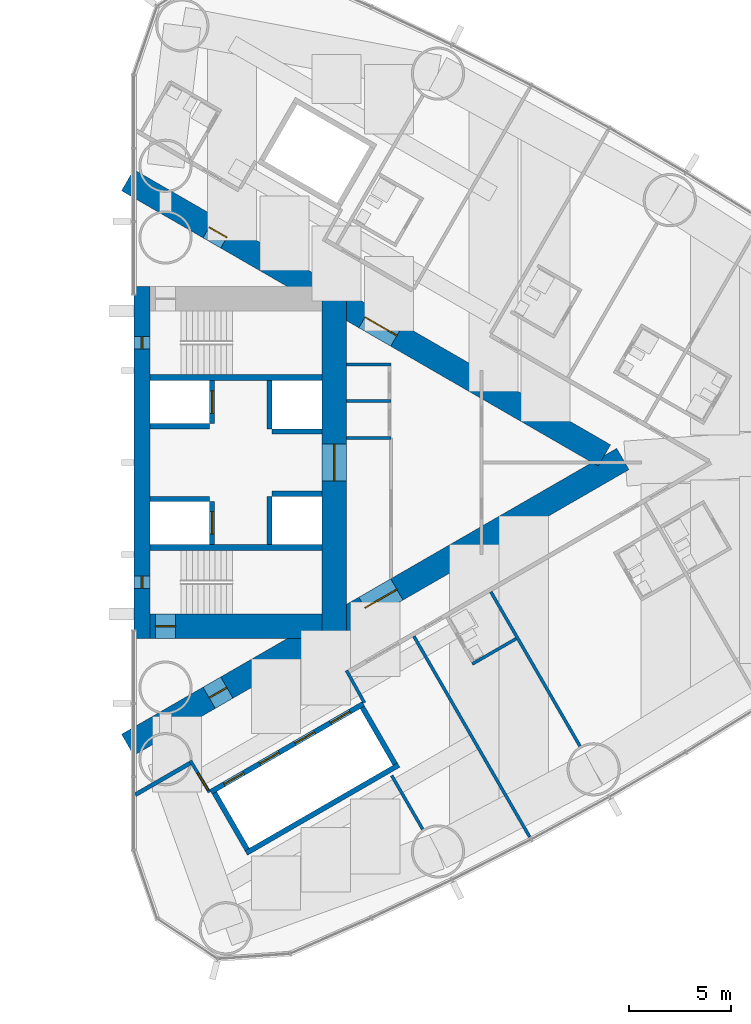
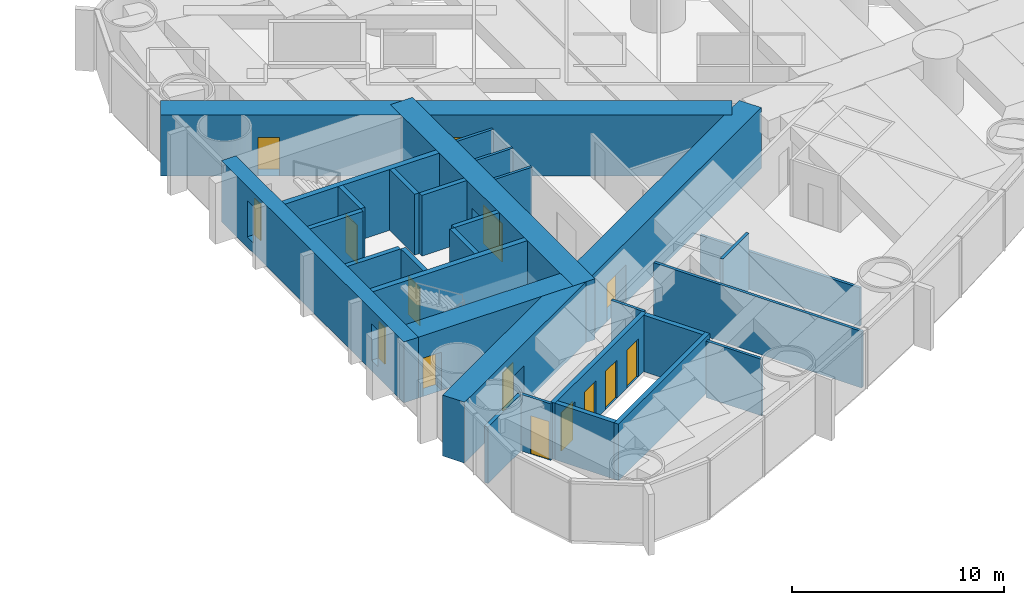
# One storey, part 13 of 18: 29 walls, 13 doors, 2 windows, 15 openings.
"""IFC4 building model written with IfcOpenShell, lengths in metres."""

import ifcopenshell
import ifcopenshell.guid

model = None  # the IFC model being written
_history = None  # IfcOwnerHistory: only IFC2X3 demands one
_inside = {}  # id of a spatial element -> (the spatial element, [elements in it])
_under = {}  # id of a project, library or spatial element -> (it, [spatial elements below it])
_declared = {}  # id of a project -> (the project, [libraries it declares])
_typed = {}  # id of a type object -> (the type object, [elements of that type])
_made_of = {}  # id of a material, layer set ... -> (it, [elements and type objects made of it])


def new_model(schema):
    """Start an empty IFC model of exactly this schema.

    Asked for "IFC4X3", IfcOpenShell would pick the latest addendum, in which some entities
    have other attributes; the version numbers below select the first issue.
    IFC2X3 requires an IfcOwnerHistory on every rooted entity: one is made here for all.
    """
    global model, _history
    if schema == "IFC4X3":
        model = ifcopenshell.file(schema_version=(4, 3, 0, 0))
    else:
        model = ifcopenshell.file(schema=schema)
    _inside.clear()
    _under.clear()
    _declared.clear()
    _typed.clear()
    _made_of.clear()
    _history = None
    if model.schema == "IFC2X3":
        org = make("IfcOrganization", Name="unknown")
        user = make(
            "IfcPersonAndOrganization",
            ThePerson=make("IfcPerson", FamilyName="unknown"),
            TheOrganization=org,
        )
        app = make(
            "IfcApplication",
            ApplicationDeveloper=org,
            Version="unknown",
            ApplicationFullName="unknown",
            ApplicationIdentifier="unknown",
        )
        _history = make(
            "IfcOwnerHistory",
            OwningUser=user,
            OwningApplication=app,
            ChangeAction="ADDED",
            CreationDate=0,
        )
    return model


def make(cls, **values):
    """One entity of the class cls with the attributes given. An attribute that is None is left unset."""
    return model.create_entity(
        cls, **{name: value for name, value in values.items() if value is not None}
    )


def rooted(cls, **values):
    """An entity with a GlobalId (a new one), such as an element, a storey or a relation."""
    return make(cls, GlobalId=ifcopenshell.guid.new(), OwnerHistory=_history, **values)


def si_unit(unit_type, name, prefix=None):
    """IfcSIUnit, for example si_unit("LENGTHUNIT", "METRE", prefix="MILLI")."""
    return make("IfcSIUnit", UnitType=unit_type, Prefix=prefix, Name=name)


def assignment(units):
    """IfcUnitAssignment: the units of a project."""
    return None if units is None else make("IfcUnitAssignment", Units=units)


def point(xyz):
    """IfcCartesianPoint."""
    return None if xyz is None else make("IfcCartesianPoint", Coordinates=xyz)


def direction(xyz):
    """IfcDirection."""
    return None if xyz is None else make("IfcDirection", DirectionRatios=xyz)


def frame(location, z_axis=None, x_axis=None):
    """IfcAxis2Placement3D, a coordinate frame: its origin and axes. An axis left out is left unset."""
    return make(
        "IfcAxis2Placement3D",
        Location=point(location),
        Axis=direction(z_axis),
        RefDirection=direction(x_axis),
    )


def frame_2d(location, x_axis=None):
    """IfcAxis2Placement2D, a coordinate frame in the plane: its origin and x axis."""
    return make(
        "IfcAxis2Placement2D", Location=point(location), RefDirection=direction(x_axis)
    )


def origin():
    """The frame at (0, 0, 0) with its axes left unset."""
    return frame((0.0, 0.0, 0.0))


def place(relative_to, where):
    """IfcLocalPlacement: puts the frame where relative to a parent placement (None: the world)."""
    return make(
        "IfcLocalPlacement", PlacementRelTo=relative_to, RelativePlacement=where
    )


def context(
    kind, dimensions, precision=None, world=None, true_north=None, identifier=None
):
    """IfcGeometricRepresentationContext, for example the 3D "Model" context."""
    return make(
        "IfcGeometricRepresentationContext",
        ContextIdentifier=identifier,
        ContextType=kind,
        CoordinateSpaceDimension=dimensions,
        Precision=precision,
        WorldCoordinateSystem=world,
        TrueNorth=true_north,
    )


def subcontext(parent, identifier, kind, view, scale=None):
    """IfcGeometricRepresentationSubContext, for example "Body" below "Model"."""
    return make(
        "IfcGeometricRepresentationSubContext",
        ContextIdentifier=identifier,
        ContextType=kind,
        ParentContext=parent,
        TargetScale=scale,
        TargetView=view,
    )


def project(units=None, contexts=None):
    """IfcProject with its units and contexts."""
    return rooted(
        "IfcProject",
        Name="project",
        RepresentationContexts=contexts,
        UnitsInContext=assignment(units),
    )


def spatial(cls, under=None, at=None, **own):
    """A site, building, storey or space (cls), placed at a placement, below another one or the project."""
    s = rooted(cls, ObjectPlacement=at, **own)
    if under is not None:
        _under.setdefault(under.id(), (under, []))[1].append(s)
    return s


def profile(cls, at=None, kind="AREA", **sizes):
    """A parametric profile (cls). Its sizes go by their IFC names, for example OverallWidth=200.0."""
    return make(cls, ProfileType=kind, Position=at, **sizes)


def rectangle(**sizes):
    """IfcRectangleProfileDef."""
    return profile("IfcRectangleProfileDef", **sizes)


def extrude(swept, where, along, depth):
    """IfcExtrudedAreaSolid: the profile swept, set in the frame where, extruded along a direction by depth."""
    return make(
        "IfcExtrudedAreaSolid",
        SweptArea=swept,
        Position=where,
        ExtrudedDirection=direction(along),
        Depth=depth,
    )


def shape(context_of_items, identifier, shape_type, items):
    """IfcShapeRepresentation: the items that make up one representation, for example the "Body"."""
    return make(
        "IfcShapeRepresentation",
        ContextOfItems=context_of_items,
        RepresentationIdentifier=identifier,
        RepresentationType=shape_type,
        Items=items,
    )


def material(Name=None, Category=None):
    """IfcMaterial."""
    return make("IfcMaterial", Name=Name, Category=Category)


def layer(
    of_material, thickness, ventilated=None, Name=None, Category=None, Priority=None
):
    """IfcMaterialLayer: one layer of a wall or slab, of a material (None: an air gap)."""
    return make(
        "IfcMaterialLayer",
        Material=of_material,
        LayerThickness=thickness,
        IsVentilated=ventilated,
        Name=Name,
        Category=Category,
        Priority=Priority,
    )


def layer_set(layers, Name=None):
    """IfcMaterialLayerSet."""
    return make("IfcMaterialLayerSet", MaterialLayers=layers, LayerSetName=Name)


def made_of(thing, what):
    """Note that an element or type object is made of a material, layer set ...; save() writes the relation."""
    if what is not None:
        _made_of.setdefault(what.id(), (what, []))[1].append(thing)
    return thing


def type_object(cls, material=None, **own):
    """A type object (cls), such as IfcWallType, which elements share."""
    return made_of(rooted(cls, **own), material)


def element(
    cls,
    number,
    at=None,
    inside=None,
    cuts=None,
    type_object=None,
    material=None,
    context=None,
    identifier="Body",
    shape_type=None,
    held_by="IfcProductDefinitionShape",
    body=None,
    shapes=None,
    **own,
):
    """One element of the class cls, such as IfcWall. Its Tag is "e" and its number.

    at: its placement. inside: the storey or other place that contains it. cuts: it is an
    opening in that element (IfcRelVoidsElement). A single representation is given by context,
    identifier, shape_type and body (its items); several are given by shapes. held_by: the class
    of the entity that holds the representations. save() writes the other relations.
    """
    e = rooted(cls, Tag="e%d" % number, ObjectPlacement=at, **own)
    if body is not None:
        shapes = [shape(context, identifier, shape_type, body)]
    if shapes is not None:
        e.Representation = make(held_by, Representations=shapes)
    if inside is not None:
        _inside.setdefault(inside.id(), (inside, []))[1].append(e)
    if cuts is not None:
        rooted(
            "IfcRelVoidsElement", RelatingBuildingElement=cuts, RelatedOpeningElement=e
        )
    if type_object is not None:
        _typed.setdefault(type_object.id(), (type_object, []))[1].append(e)
    return made_of(e, material)


def fill(opening, filler):
    """IfcRelFillsElement: the door or window that sits in an opening."""
    return rooted(
        "IfcRelFillsElement",
        RelatingOpeningElement=opening,
        RelatedBuildingElement=filler,
    )


def aggregate(whole, parts):
    """IfcRelAggregates: a whole, such as a stair, and the parts it consists of."""
    return rooted("IfcRelAggregates", RelatingObject=whole, RelatedObjects=parts)


def save(model, path):
    """Write the relations noted so far, then the file.

    IfcRelAggregates (storeys below a building ...), IfcRelContainedInSpatialStructure (elements
    in a storey), IfcRelDefinesByType, IfcRelAssociatesMaterial and IfcRelDeclares: one each for
    every whole, place, type object, material and project.
    """
    for whole, parts in _under.values():
        aggregate(whole, parts)
    for where, things in _inside.values():
        rooted(
            "IfcRelContainedInSpatialStructure",
            RelatedElements=things,
            RelatingStructure=where,
        )
    for kind, things in _typed.values():
        rooted("IfcRelDefinesByType", RelatedObjects=things, RelatingType=kind)
    for what, things in _made_of.values():
        rooted("IfcRelAssociatesMaterial", RelatedObjects=things, RelatingMaterial=what)
    for by, libraries in _declared.values():
        rooted("IfcRelDeclares", RelatingContext=by, RelatedDefinitions=libraries)
    model.write(path)


model = new_model("IFC4")

# Units and contexts
model_context = context("Model", 3, precision=1e-05, world=origin(), true_north=direction((0.0, 1.0)))
body_context = subcontext(model_context, "Body", "Model", "MODEL_VIEW")
ifc_project = project(units=[si_unit("LENGTHUNIT", "METRE"), si_unit("AREAUNIT", "SQUARE_METRE"), si_unit("VOLUMEUNIT", "CUBIC_METRE"), si_unit("PLANEANGLEUNIT", "RADIAN"), si_unit("MASSUNIT", "GRAM", prefix="KILO")], contexts=[model_context])

# Site, building, storey
site_placement = place(None, origin())
site = spatial("IfcSite", under=ifc_project, at=site_placement, CompositionType="ELEMENT")
building_placement = place(site_placement, origin())
building = spatial("IfcBuilding", under=site, at=building_placement, Name="Lancet Gate Hotel", CompositionType="ELEMENT")
storey_placement = place(building_placement, frame((0.0, 0.0, 115.10009765625)))
storey = spatial("IfcBuildingStorey", under=building, at=storey_placement, Name="L30", CompositionType="ELEMENT", Elevation=115.10009765625)

# Wall
ifc_material_1 = material(Name="Moisture resistant board partition")
ifc_layer_1 = layer(ifc_material_1, 0.14990234375)
ifc_layer_set_1 = layer_set([ifc_layer_1], Name="Bathroom wall 150")
wall_type_1 = type_object("IfcWallType", Name="Bathroom wall 150", PredefinedType="PARTITIONING", material=ifc_layer_set_1)
wall_1_placement = place(storey_placement, frame((44.045166015625, -9.847900390625, 0.0), z_axis=(0.0, 0.0, 1.0), x_axis=(0.866031185235, 0.4999899861, 0.0)))
element("IfcWall", 1, at=wall_1_placement, inside=storey, type_object=wall_type_1, Name="T2 bathroom wall 150 L30", PredefinedType="PARTITIONING", context=body_context, shape_type="SweptSolid", body=[
    extrude(rectangle(XDim=2.47509765625, YDim=0.14990234375, at=frame_2d((1.237548828125, 0.0))), origin(), (0.0, 0.0, 1.0), 3.25),
])

# Wall, openings, doors
ifc_material_2 = material(Name="Concrete C70/85", Category="concrete")
ifc_layer_2 = layer(ifc_material_2, 1.199951171875)
ifc_layer_set_2 = layer_set([ifc_layer_2], Name="Buttress wall 1200")
wall_type_2 = type_object("IfcWallType", Name="Buttress wall 1200", PredefinedType="SHEAR", material=ifc_layer_set_2)
wall_2_placement = place(storey_placement, frame((27.199951171875, -13.800048828125, 0.0), z_axis=(0.0, 0.0, 1.0), x_axis=(0.866027159892, 0.499996958321, 0.0)))
wall_2 = element("IfcWall", 2, at=wall_2_placement, inside=storey, type_object=wall_type_2, Name="T2 buttress wall S L30", PredefinedType="SHEAR", context=body_context, shape_type="SweptSolid", body=[
    extrude(rectangle(XDim=27.946533203125, YDim=1.199951171875, at=frame_2d((13.97314453125, 0.0))), origin(), (0.0, 0.0, 1.0), 3.5),
])
opening_1_placement = place(wall_2_placement, frame((4.60009765625, 0.0, 0.0)))
opening_1 = element("IfcOpeningElement", 3, at=opening_1_placement, cuts=wall_2, Name="Opening T2-L30-LS", PredefinedType="OPENING", context=body_context, shape_type="SweptSolid", body=[
    extrude(rectangle(XDim=1.0, YDim=2.199951171875, at=frame_2d((0.5, 1.10009765625))), frame((0.0, 0.60986328125, 0.0), z_axis=(0.0, -1.0, 0.0), x_axis=(1.0, 0.0, 0.0)), (0.0, 0.0, 1.0), 1.219970703125),
])
opening_2_placement = place(wall_2_placement, frame((13.39453125, 0.0, 0.0)))
opening_2 = element("IfcOpeningElement", 4, at=opening_2_placement, cuts=wall_2, Name="Opening T2-L30-LHS", PredefinedType="OPENING", context=body_context, shape_type="SweptSolid", body=[
    extrude(rectangle(XDim=1.800048828125, YDim=2.199951171875, at=frame_2d((0.89990234375, 1.10009765625))), frame((0.0, 0.60986328125, 0.0), z_axis=(0.0, -1.0, 0.0), x_axis=(1.0, 0.0, 0.0)), (0.0, 0.0, 1.0), 1.219970703125),
])
ifc_material_3 = material(Name="Timber door set", Category="wood")
door_type_1 = type_object("IfcDoorType", Name="Lobby double door 1800", OperationType="DOUBLE_DOOR_SINGLE_SWING", PredefinedType="DOOR", material=ifc_material_3)
door_1_placement = place(opening_2_placement, origin())
door_1 = element("IfcDoor", 5, at=door_1_placement, inside=storey, type_object=door_type_1, Name="T2-L30-LHS", OperationType="DOUBLE_DOOR_SINGLE_SWING", OverallHeight=2.199951171875, OverallWidth=1.800048828125, PredefinedType="DOOR", context=body_context, shape_type="SweptSolid", body=[
    extrude(rectangle(XDim=1.800048828125, YDim=2.199951171875, at=frame_2d((0.89990234375, 1.10009765625))), frame((0.0, 0.02490234375, 0.0), z_axis=(0.0, -1.0, 0.0), x_axis=(1.0, 0.0, 0.0)), (0.0, 0.0, 1.0), 0.050048828125),
])
fill(opening_2, door_1)
ifc_material_4 = material(Name="Timber door set", Category="wood")
door_type_2 = type_object("IfcDoorType", Name="Stair lobby door 1000", OperationType="SINGLE_SWING_LEFT", PredefinedType="DOOR", material=ifc_material_4)
door_2_placement = place(opening_1_placement, origin())
door_2 = element("IfcDoor", 6, at=door_2_placement, inside=storey, type_object=door_type_2, Name="T2-L30-LS", OperationType="SINGLE_SWING_LEFT", OverallHeight=2.199951171875, OverallWidth=1.0, PredefinedType="DOOR", context=body_context, shape_type="SweptSolid", body=[
    extrude(rectangle(XDim=1.0, YDim=2.199951171875, at=frame_2d((0.5, 1.10009765625))), frame((0.0, 0.02490234375, 0.0), z_axis=(0.0, -1.0, 0.0), x_axis=(1.0, 0.0, 0.0)), (0.0, 0.0, 1.0), 0.050048828125),
])
fill(opening_1, door_2)

wall_3_placement = place(storey_placement, frame((27.199951171875, 13.800048828125, 0.0), z_axis=(0.0, 0.0, 1.0), x_axis=(0.866024515034, -0.500001539357, 0.0)))
wall_3 = element("IfcWall", 7, at=wall_3_placement, inside=storey, type_object=wall_type_2, Name="T2 buttress wall N L30", PredefinedType="SHEAR", context=body_context, shape_type="SweptSolid", body=[
    extrude(rectangle(XDim=26.9072265625, YDim=1.199951171875, at=frame_2d((13.45361328125, 0.0))), origin(), (0.0, 0.0, 1.0), 3.5),
])
opening_3_placement = place(wall_3_placement, frame((4.60009765625, 0.0, 0.0)))
opening_3 = element("IfcOpeningElement", 8, at=opening_3_placement, cuts=wall_3, Name="Opening T2-L30-LN", PredefinedType="OPENING", context=body_context, shape_type="SweptSolid", body=[
    extrude(rectangle(XDim=1.0, YDim=2.199951171875, at=frame_2d((0.5, 1.10009765625))), frame((0.0, 0.60986328125, 0.0), z_axis=(0.0, -1.0, 0.0), x_axis=(1.0, 0.0, 0.0)), (0.0, 0.0, 1.0), 1.219970703125),
])
opening_4_placement = place(wall_3_placement, frame((13.39453125, 0.0, 0.0)))
opening_4 = element("IfcOpeningElement", 9, at=opening_4_placement, cuts=wall_3, Name="Opening T2-L30-LHN", PredefinedType="OPENING", context=body_context, shape_type="SweptSolid", body=[
    extrude(rectangle(XDim=1.800048828125, YDim=2.199951171875, at=frame_2d((0.89990234375, 1.10009765625))), frame((0.0, 0.60986328125, 0.0), z_axis=(0.0, -1.0, 0.0), x_axis=(1.0, 0.0, 0.0)), (0.0, 0.0, 1.0), 1.219970703125),
])
door_3_placement = place(opening_4_placement, origin())
door_3 = element("IfcDoor", 10, at=door_3_placement, inside=storey, type_object=door_type_1, Name="T2-L30-LHN", OperationType="DOUBLE_DOOR_SINGLE_SWING", OverallHeight=2.199951171875, OverallWidth=1.800048828125, PredefinedType="DOOR", context=body_context, shape_type="SweptSolid", body=[
    extrude(rectangle(XDim=1.800048828125, YDim=2.199951171875, at=frame_2d((0.89990234375, 1.10009765625))), frame((0.0, 0.02490234375, 0.0), z_axis=(0.0, -1.0, 0.0), x_axis=(1.0, 0.0, 0.0)), (0.0, 0.0, 1.0), 0.050048828125),
])
fill(opening_4, door_3)
door_4_placement = place(opening_3_placement, origin())
door_4 = element("IfcDoor", 11, at=door_4_placement, inside=storey, type_object=door_type_2, Name="T2-L30-LN", OperationType="SINGLE_SWING_LEFT", OverallHeight=2.199951171875, OverallWidth=1.0, PredefinedType="DOOR", context=body_context, shape_type="SweptSolid", body=[
    extrude(rectangle(XDim=1.0, YDim=2.199951171875, at=frame_2d((0.5, 1.10009765625))), frame((0.0, 0.02490234375, 0.0), z_axis=(0.0, -1.0, 0.0), x_axis=(1.0, 0.0, 0.0)), (0.0, 0.0, 1.0), 0.050048828125),
])
fill(opening_3, door_4)

# Wall, opening, door
ifc_material_5 = material(Name="Concrete C70/85", Category="concrete")
ifc_layer_3 = layer(ifc_material_5, 1.199951171875)
ifc_layer_set_3 = layer_set([ifc_layer_3], Name="Core wall 1200")
wall_type_3 = type_object("IfcWallType", Name="Core wall 1200", PredefinedType="SHEAR", material=ifc_layer_set_3)
wall_4_placement = place(storey_placement, frame((37.300048828125, -8.60009765625, 0.0), z_axis=(0.0, 0.0, 1.0), x_axis=(0.0, 1.0, 0.0)))
wall_4 = element("IfcWall", 12, at=wall_4_placement, inside=storey, type_object=wall_type_3, Name="T2 core wall back L30", PredefinedType="SHEAR", context=body_context, shape_type="SweptSolid", body=[
    extrude(rectangle(XDim=17.2001953125, YDim=1.199951171875, at=frame_2d((8.60009765625, 0.0))), origin(), (0.0, 0.0, 1.0), 3.5),
])
opening_5_placement = place(wall_4_placement, frame((7.699951171875, 0.0, 0.0)))
opening_5 = element("IfcOpeningElement", 13, at=opening_5_placement, cuts=wall_4, Name="Opening T2-L30-LL", PredefinedType="OPENING", context=body_context, shape_type="SweptSolid", body=[
    extrude(rectangle(XDim=1.800048828125, YDim=2.199951171875, at=frame_2d((0.89990234375, 1.10009765625))), frame((0.0, 0.60986328125, 0.0), z_axis=(0.0, -1.0, 0.0), x_axis=(1.0, 0.0, 0.0)), (0.0, 0.0, 1.0), 1.219970703125),
])
door_5_placement = place(opening_5_placement, origin())
door_5 = element("IfcDoor", 14, at=door_5_placement, inside=storey, type_object=door_type_1, Name="T2-L30-LL", OperationType="DOUBLE_DOOR_SINGLE_SWING", OverallHeight=2.199951171875, OverallWidth=1.800048828125, PredefinedType="DOOR", context=body_context, shape_type="SweptSolid", body=[
    extrude(rectangle(XDim=1.800048828125, YDim=2.199951171875, at=frame_2d((0.89990234375, 1.10009765625))), frame((0.0, 0.02490234375, 0.0), z_axis=(0.0, -1.0, 0.0), x_axis=(1.0, 0.0, 0.0)), (0.0, 0.0, 1.0), 0.050048828125),
])
fill(opening_5, door_5)

wall_5_placement = place(storey_placement, frame((28.300048828125, -8.0, 0.0), z_axis=(0.0, 0.0, 1.0), x_axis=(1.0, 0.0, 0.0)))
wall_5 = element("IfcWall", 15, at=wall_5_placement, inside=storey, type_object=wall_type_3, Name="T2 core wall side-S L30", PredefinedType="SHEAR", context=body_context, shape_type="SweptSolid", body=[
    extrude(rectangle(XDim=8.39990234375, YDim=1.199951171875, at=frame_2d((4.199951171875, 0.0))), origin(), (0.0, 0.0, 1.0), 3.5),
])
opening_6_placement = place(wall_5_placement, frame((0.25, 0.0, 0.0)))
opening_6 = element("IfcOpeningElement", 16, at=opening_6_placement, cuts=wall_5, Name="Opening T2-L30-ST1", PredefinedType="OPENING", context=body_context, shape_type="SweptSolid", body=[
    extrude(rectangle(XDim=1.0, YDim=2.199951171875, at=frame_2d((0.5, 1.10009765625))), frame((0.0, 0.60986328125, 0.0), z_axis=(0.0, -1.0, 0.0), x_axis=(1.0, 0.0, 0.0)), (0.0, 0.0, 1.0), 1.219970703125),
])
ifc_material_6 = material(Name="Timber door set", Category="wood")
door_type_3 = type_object("IfcDoorType", Name="Stair door 1000", OperationType="SINGLE_SWING_RIGHT", PredefinedType="DOOR", material=ifc_material_6)
door_6_placement = place(opening_6_placement, origin())
door_6 = element("IfcDoor", 17, at=door_6_placement, inside=storey, type_object=door_type_3, Name="T2-L30-ST1", OperationType="SINGLE_SWING_RIGHT", OverallHeight=2.199951171875, OverallWidth=1.0, PredefinedType="DOOR", context=body_context, shape_type="SweptSolid", body=[
    extrude(rectangle(XDim=1.0, YDim=2.199951171875, at=frame_2d((0.5, 1.10009765625))), frame((0.0, 0.02490234375, 0.0), z_axis=(0.0, -1.0, 0.0), x_axis=(1.0, 0.0, 0.0)), (0.0, 0.0, 1.0), 0.050048828125),
])
fill(opening_6, door_6)

# Wall, openings, windows
ifc_material_7 = material(Name="Concrete C70/85", Category="concrete")
ifc_layer_4 = layer(ifc_material_7, 0.800048828125)
ifc_layer_set_4 = layer_set([ifc_layer_4], Name="Core wall 800")
wall_type_4 = type_object("IfcWallType", Name="Core wall 800", PredefinedType="SHEAR", material=ifc_layer_set_4)
wall_6_placement = place(storey_placement, frame((27.89990234375, -8.60009765625, 0.0), z_axis=(0.0, 0.0, 1.0), x_axis=(0.0, 1.0, 0.0)))
wall_6 = element("IfcWall", 18, at=wall_6_placement, inside=storey, type_object=wall_type_4, Name="T2 core wall front L30", PredefinedType="SHEAR", context=body_context, shape_type="SweptSolid", body=[
    extrude(rectangle(XDim=17.2001953125, YDim=0.800048828125, at=frame_2d((8.60009765625, 0.0))), origin(), (0.0, 0.0, 1.0), 3.5),
])
opening_7_placement = place(wall_6_placement, frame((2.449951171875, 0.0, 0.60009765625)))
opening_7 = element("IfcOpeningElement", 19, at=opening_7_placement, cuts=wall_6, Name="Opening LW1", PredefinedType="OPENING", context=body_context, shape_type="SweptSolid", body=[
    extrude(rectangle(XDim=0.60009765625, YDim=2.10009765625, at=frame_2d((0.300048828125, 1.050048828125))), frame((0.0, 0.409912109375, 0.0), z_axis=(0.0, -1.0, 0.0), x_axis=(1.0, 0.0, 0.0)), (0.0, 0.0, 1.0), 0.820068359375),
])
opening_8_placement = place(wall_6_placement, frame((14.14990234375, 0.0, 0.60009765625)))
opening_8 = element("IfcOpeningElement", 20, at=opening_8_placement, cuts=wall_6, Name="Opening LW1", PredefinedType="OPENING", context=body_context, shape_type="SweptSolid", body=[
    extrude(rectangle(XDim=0.60009765625, YDim=2.10009765625, at=frame_2d((0.300048828125, 1.050048828125))), frame((0.0, 0.409912109375, 0.0), z_axis=(0.0, -1.0, 0.0), x_axis=(1.0, 0.0, 0.0)), (0.0, 0.0, 1.0), 0.820068359375),
])
ifc_material_8 = material(Name="Fire-resisting glazed steel window", Category="steel")
window_type = type_object("IfcWindowType", Name="Lancet window 600x2100", PartitioningType="SINGLE_PANEL", PredefinedType="WINDOW", material=ifc_material_8)
window_1_placement = place(opening_7_placement, origin())
window_1 = element("IfcWindow", 21, at=window_1_placement, inside=storey, type_object=window_type, Name="T2 stair window S L30", OverallHeight=2.10009765625, OverallWidth=0.60009765625, PartitioningType="SINGLE_PANEL", PredefinedType="WINDOW", context=body_context, shape_type="SweptSolid", body=[
    extrude(rectangle(XDim=0.60009765625, YDim=2.10009765625, at=frame_2d((0.300048828125, 1.050048828125))), frame((0.0, 0.030029296875, 0.0), z_axis=(0.0, -1.0, 0.0), x_axis=(1.0, 0.0, 0.0)), (0.0, 0.0, 1.0), 0.06005859375),
])
fill(opening_7, window_1)
window_2_placement = place(opening_8_placement, origin())
window_2 = element("IfcWindow", 22, at=window_2_placement, inside=storey, type_object=window_type, Name="T2 stair window N L30", OverallHeight=2.10009765625, OverallWidth=0.60009765625, PartitioningType="SINGLE_PANEL", PredefinedType="WINDOW", context=body_context, shape_type="SweptSolid", body=[
    extrude(rectangle(XDim=0.60009765625, YDim=2.10009765625, at=frame_2d((0.300048828125, 1.050048828125))), frame((0.0, 0.030029296875, 0.0), z_axis=(0.0, -1.0, 0.0), x_axis=(1.0, 0.0, 0.0)), (0.0, 0.0, 1.0), 0.06005859375),
])
fill(opening_8, window_2)

# Wall
ifc_material_9 = material(Name="Gypsum board partition")
ifc_layer_5 = layer(ifc_material_9, 0.199951171875)
ifc_layer_set_5 = layer_set([ifc_layer_5], Name="Corridor wall 200")
wall_type_5 = type_object("IfcWallType", Name="Corridor wall 200", PredefinedType="PARTITIONING", material=ifc_layer_set_5)
wall_7_placement = place(storey_placement, frame((27.572021484375, -16.240966796875, 0.0), z_axis=(0.0, 0.0, 1.0), x_axis=(0.866029654818, 0.499992636921, 0.0)))
element("IfcWall", 23, at=wall_7_placement, inside=storey, type_object=wall_type_5, Name="T2 corridor wall 200 L30", PredefinedType="PARTITIONING", context=body_context, shape_type="SweptSolid", body=[
    extrude(rectangle(XDim=3.15478515625, YDim=0.199951171875, at=frame_2d((1.577392578125, 0.0))), origin(), (0.0, 0.0, 1.0), 3.25),
])

# Wall, openings, doors
ifc_material_10 = material(Name="Gypsum board partition")
ifc_layer_6 = layer(ifc_material_10, 0.25)
ifc_layer_set_6 = layer_set([ifc_layer_6], Name="Lift shaft partition 250")
wall_type_6 = type_object("IfcWallType", Name="Lift shaft partition 250", PredefinedType="PARTITIONING", material=ifc_layer_set_6)
wall_8_placement = place(storey_placement, frame((31.2705078125, -16.09716796875, 0.0), z_axis=(0.0, 0.0, 1.0), x_axis=(0.86604045752, 0.499973925258, 0.0)))
wall_8 = element("IfcWall", 24, at=wall_8_placement, inside=storey, type_object=wall_type_6, Name="T2 lift shaft wall LR L30", PredefinedType="PARTITIONING", context=body_context, shape_type="SweptSolid", body=[
    extrude(rectangle(XDim=8.60009765625, YDim=0.25, at=frame_2d((4.300048828125, 0.0))), origin(), (0.0, 0.0, 1.0), 3.25),
])
opening_9_placement = place(wall_8_placement, frame((0.75, 0.0, 0.0)))
opening_9 = element("IfcOpeningElement", 25, at=opening_9_placement, cuts=wall_8, Name="Opening T2-LR1-L30", PredefinedType="OPENING", context=body_context, shape_type="SweptSolid", body=[
    extrude(rectangle(XDim=1.10009765625, YDim=2.199951171875, at=frame_2d((0.550048828125, 1.10009765625))), frame((0.0, 0.135009765625, 0.0), z_axis=(0.0, -1.0, 0.0), x_axis=(1.0, 0.0, 0.0)), (0.0, 0.0, 1.0), 0.27001953125),
])
opening_10_placement = place(wall_8_placement, frame((2.75, 0.0, 0.0)))
opening_10 = element("IfcOpeningElement", 26, at=opening_10_placement, cuts=wall_8, Name="Opening T2-LR2-L30", PredefinedType="OPENING", context=body_context, shape_type="SweptSolid", body=[
    extrude(rectangle(XDim=1.10009765625, YDim=2.199951171875, at=frame_2d((0.550048828125, 1.10009765625))), frame((0.0, 0.135009765625, 0.0), z_axis=(0.0, -1.0, 0.0), x_axis=(1.0, 0.0, 0.0)), (0.0, 0.0, 1.0), 0.27001953125),
])
opening_11_placement = place(wall_8_placement, frame((4.75, 0.0, 0.0)))
opening_11 = element("IfcOpeningElement", 27, at=opening_11_placement, cuts=wall_8, Name="Opening T2-LR3-L30", PredefinedType="OPENING", context=body_context, shape_type="SweptSolid", body=[
    extrude(rectangle(XDim=1.10009765625, YDim=2.199951171875, at=frame_2d((0.550048828125, 1.10009765625))), frame((0.0, 0.135009765625, 0.0), z_axis=(0.0, -1.0, 0.0), x_axis=(1.0, 0.0, 0.0)), (0.0, 0.0, 1.0), 0.27001953125),
])
opening_12_placement = place(wall_8_placement, frame((6.75, 0.0, 0.0)))
opening_12 = element("IfcOpeningElement", 28, at=opening_12_placement, cuts=wall_8, Name="Opening T2-LR4-L30", PredefinedType="OPENING", context=body_context, shape_type="SweptSolid", body=[
    extrude(rectangle(XDim=1.10009765625, YDim=2.199951171875, at=frame_2d((0.550048828125, 1.10009765625))), frame((0.0, 0.135009765625, 0.0), z_axis=(0.0, -1.0, 0.0), x_axis=(1.0, 0.0, 0.0)), (0.0, 0.0, 1.0), 0.27001953125),
])
ifc_material_11 = material(Name="Steel door set", Category="steel")
door_type_4 = type_object("IfcDoorType", Name="Lift landing door 1100", OperationType="DOUBLE_DOOR_SLIDING", PredefinedType="USERDEFINED", material=ifc_material_11)
door_7_placement = place(opening_9_placement, origin())
door_7 = element("IfcDoor", 29, at=door_7_placement, inside=storey, type_object=door_type_4, Name="T2-LR1-L30", ObjectType="LIFT LANDING DOOR", OperationType="DOUBLE_DOOR_SLIDING", OverallHeight=2.199951171875, OverallWidth=1.10009765625, PredefinedType="USERDEFINED", context=body_context, shape_type="SweptSolid", body=[
    extrude(rectangle(XDim=1.10009765625, YDim=2.199951171875, at=frame_2d((0.550048828125, 1.10009765625))), frame((0.0, 0.02490234375, 0.0), z_axis=(0.0, -1.0, 0.0), x_axis=(1.0, 0.0, 0.0)), (0.0, 0.0, 1.0), 0.050048828125),
])
fill(opening_9, door_7)
door_8_placement = place(opening_10_placement, origin())
door_8 = element("IfcDoor", 30, at=door_8_placement, inside=storey, type_object=door_type_4, Name="T2-LR2-L30", ObjectType="LIFT LANDING DOOR", OperationType="DOUBLE_DOOR_SLIDING", OverallHeight=2.199951171875, OverallWidth=1.10009765625, PredefinedType="USERDEFINED", context=body_context, shape_type="SweptSolid", body=[
    extrude(rectangle(XDim=1.10009765625, YDim=2.199951171875, at=frame_2d((0.550048828125, 1.10009765625))), frame((0.0, 0.02490234375, 0.0), z_axis=(0.0, -1.0, 0.0), x_axis=(1.0, 0.0, 0.0)), (0.0, 0.0, 1.0), 0.050048828125),
])
fill(opening_10, door_8)
door_9_placement = place(opening_11_placement, origin())
door_9 = element("IfcDoor", 31, at=door_9_placement, inside=storey, type_object=door_type_4, Name="T2-LR3-L30", ObjectType="LIFT LANDING DOOR", OperationType="DOUBLE_DOOR_SLIDING", OverallHeight=2.199951171875, OverallWidth=1.10009765625, PredefinedType="USERDEFINED", context=body_context, shape_type="SweptSolid", body=[
    extrude(rectangle(XDim=1.10009765625, YDim=2.199951171875, at=frame_2d((0.550048828125, 1.10009765625))), frame((0.0, 0.02490234375, 0.0), z_axis=(0.0, -1.0, 0.0), x_axis=(1.0, 0.0, 0.0)), (0.0, 0.0, 1.0), 0.050048828125),
])
fill(opening_11, door_9)
door_10_placement = place(opening_12_placement, origin())
door_10 = element("IfcDoor", 32, at=door_10_placement, inside=storey, type_object=door_type_4, Name="T2-LR4-L30", ObjectType="LIFT LANDING DOOR", OperationType="DOUBLE_DOOR_SLIDING", OverallHeight=2.199951171875, OverallWidth=1.10009765625, PredefinedType="USERDEFINED", context=body_context, shape_type="SweptSolid", body=[
    extrude(rectangle(XDim=1.10009765625, YDim=2.199951171875, at=frame_2d((0.550048828125, 1.10009765625))), frame((0.0, 0.02490234375, 0.0), z_axis=(0.0, -1.0, 0.0), x_axis=(1.0, 0.0, 0.0)), (0.0, 0.0, 1.0), 0.050048828125),
])
fill(opening_12, door_10)

# Walls
wall_9_placement = place(storey_placement, frame((32.99560546875, -19.085693359375, 0.0), z_axis=(0.0, 0.0, 1.0), x_axis=(0.866028165386, 0.499995216735, 0.0)))
element("IfcWall", 33, at=wall_9_placement, inside=storey, type_object=wall_type_6, Name="T2 lift shaft wall LR L30", PredefinedType="PARTITIONING", context=body_context, shape_type="SweptSolid", body=[
    extrude(rectangle(XDim=8.60009765625, YDim=0.25, at=frame_2d((4.300048828125, 0.0))), origin(), (0.0, 0.0, 1.0), 3.25),
])
for number, where, z_axis, x_axis, name in (
    (34, (31.441162109375, -16.14306640625, 0.0), (0.0, 0.0, 1.0), (0.499929347863, -0.866066190972, 0.0), "T2 lift shaft wall LR L30"),
    (35, (38.672607421875, -11.968017578125, 0.0), (0.0, 0.0, 1.0), (0.499929347863, -0.866066190972, 0.0), "T2 lift shaft wall LR L30"),
):
    element("IfcWall", number, at=place(storey_placement, frame(where, z_axis=z_axis, x_axis=x_axis)), inside=storey, type_object=wall_type_6, Name=name, PredefinedType="PARTITIONING", context=body_context, shape_type="SweptSolid", body=[
        extrude(rectangle(XDim=3.20068359375, YDim=0.25, at=frame_2d((1.600341796875, 0.0))), origin(), (0.0, 0.0, 1.0), 3.25),
    ])

# Wall, opening, door
ifc_material_12 = material(Name="Concrete C50/60", Category="concrete")
ifc_layer_7 = layer(ifc_material_12, 0.25)
ifc_layer_set_7 = layer_set([ifc_layer_7], Name="Lift shaft wall 250")
wall_type_7 = type_object("IfcWallType", Name="Lift shaft wall 250", PredefinedType="SHEAR", material=ifc_layer_set_7)
wall_10_placement = place(storey_placement, frame((31.324951171875, -4.0, 0.0), z_axis=(0.0, 0.0, 1.0), x_axis=(0.0, 1.0, 0.0)))
wall_10 = element("IfcWall", 36, at=wall_10_placement, inside=storey, type_object=wall_type_7, Name="T2 core wall row1-S L30", PredefinedType="SHEAR", context=body_context, shape_type="SweptSolid", body=[
    extrude(rectangle(XDim=2.10009765625, YDim=0.25, at=frame_2d((1.050048828125, 0.0))), origin(), (0.0, 0.0, 1.0), 3.5),
])
opening_13_placement = place(wall_10_placement, frame((0.5, 0.0, 0.0)))
opening_13 = element("IfcOpeningElement", 37, at=opening_13_placement, cuts=wall_10, Name="Opening T2-SL1-L30", PredefinedType="OPENING", context=body_context, shape_type="SweptSolid", body=[
    extrude(rectangle(XDim=1.10009765625, YDim=2.199951171875, at=frame_2d((0.550048828125, 1.10009765625))), frame((0.0, 0.135009765625, 0.0), z_axis=(0.0, -1.0, 0.0), x_axis=(1.0, 0.0, 0.0)), (0.0, 0.0, 1.0), 0.27001953125),
])
ifc_material_13 = material(Name="Timber door set", Category="wood")
door_type_5 = type_object("IfcDoorType", Name="Service lift landing door 1100", OperationType="SLIDING_TO_LEFT", PredefinedType="USERDEFINED", material=ifc_material_13)
door_11_placement = place(opening_13_placement, origin())
door_11 = element("IfcDoor", 38, at=door_11_placement, inside=storey, type_object=door_type_5, Name="T2-SL1-L30", ObjectType="LIFT LANDING DOOR", OperationType="SLIDING_TO_LEFT", OverallHeight=2.199951171875, OverallWidth=1.10009765625, PredefinedType="USERDEFINED", context=body_context, shape_type="SweptSolid", body=[
    extrude(rectangle(XDim=1.10009765625, YDim=2.199951171875, at=frame_2d((0.550048828125, 1.10009765625))), frame((0.0, 0.02490234375, 0.0), z_axis=(0.0, -1.0, 0.0), x_axis=(1.0, 0.0, 0.0)), (0.0, 0.0, 1.0), 0.050048828125),
])
fill(opening_13, door_11)

# Walls
wall_11_placement = place(storey_placement, frame((34.125, -4.0, 0.0), z_axis=(0.0, 0.0, 1.0), x_axis=(0.0, 1.0, 0.0)))
element("IfcWall", 39, at=wall_11_placement, inside=storey, type_object=wall_type_7, Name="T2 core wall row2-S L30", PredefinedType="SHEAR", context=body_context, shape_type="SweptSolid", body=[
    extrude(rectangle(XDim=2.35009765625, YDim=0.25, at=frame_2d((1.175048828125, 0.0))), origin(), (0.0, 0.0, 1.0), 3.5),
])
wall_12_placement = place(storey_placement, frame((28.300048828125, -1.77490234375, 0.0), z_axis=(0.0, 0.0, 1.0), x_axis=(1.0, 0.0, 0.0)))
element("IfcWall", 40, at=wall_12_placement, inside=storey, type_object=wall_type_7, Name="T2 core wall pass1-S L30", PredefinedType="SHEAR", context=body_context, shape_type="SweptSolid", body=[
    extrude(rectangle(XDim=2.89990234375, YDim=0.25, at=frame_2d((1.449951171875, 0.0))), origin(), (0.0, 0.0, 1.0), 3.5),
])
wall_13_placement = place(storey_placement, frame((34.25, -1.52490234375, 0.0), z_axis=(0.0, 0.0, 1.0), x_axis=(1.0, 0.0, 0.0)))
element("IfcWall", 41, at=wall_13_placement, inside=storey, type_object=wall_type_7, Name="T2 core wall pass2-S L30", PredefinedType="SHEAR", context=body_context, shape_type="SweptSolid", body=[
    extrude(rectangle(XDim=2.449951171875, YDim=0.25, at=frame_2d((1.22509765625, 0.0))), origin(), (0.0, 0.0, 1.0), 3.5),
])

# Wall, opening, door
wall_14_placement = place(storey_placement, frame((31.324951171875, 1.89990234375, 0.0), z_axis=(0.0, 0.0, 1.0), x_axis=(0.0, 1.0, 0.0)))
wall_14 = element("IfcWall", 42, at=wall_14_placement, inside=storey, type_object=wall_type_7, Name="T2 core wall row1-N L30", PredefinedType="SHEAR", context=body_context, shape_type="SweptSolid", body=[
    extrude(rectangle(XDim=2.10009765625, YDim=0.25, at=frame_2d((1.050048828125, 0.0))), origin(), (0.0, 0.0, 1.0), 3.5),
])
opening_14_placement = place(wall_14_placement, frame((0.5, 0.0, 0.0)))
opening_14 = element("IfcOpeningElement", 43, at=opening_14_placement, cuts=wall_14, Name="Opening T2-FL2-L30", PredefinedType="OPENING", context=body_context, shape_type="SweptSolid", body=[
    extrude(rectangle(XDim=1.10009765625, YDim=2.199951171875, at=frame_2d((0.550048828125, 1.10009765625))), frame((0.0, 0.135009765625, 0.0), z_axis=(0.0, -1.0, 0.0), x_axis=(1.0, 0.0, 0.0)), (0.0, 0.0, 1.0), 0.27001953125),
])
ifc_material_14 = material(Name="Steel door set", Category="steel")
door_type_6 = type_object("IfcDoorType", Name="Firefighting lift landing door 1100", OperationType="SLIDING_TO_LEFT", PredefinedType="USERDEFINED", material=ifc_material_14)
door_12_placement = place(opening_14_placement, origin())
door_12 = element("IfcDoor", 44, at=door_12_placement, inside=storey, type_object=door_type_6, Name="T2-FL2-L30", ObjectType="LIFT LANDING DOOR", OperationType="SLIDING_TO_LEFT", OverallHeight=2.199951171875, OverallWidth=1.10009765625, PredefinedType="USERDEFINED", context=body_context, shape_type="SweptSolid", body=[
    extrude(rectangle(XDim=1.10009765625, YDim=2.199951171875, at=frame_2d((0.550048828125, 1.10009765625))), frame((0.0, 0.02490234375, 0.0), z_axis=(0.0, -1.0, 0.0), x_axis=(1.0, 0.0, 0.0)), (0.0, 0.0, 1.0), 0.050048828125),
])
fill(opening_14, door_12)

# Walls
wall_15_placement = place(storey_placement, frame((34.125, 1.64990234375, 0.0), z_axis=(0.0, 0.0, 1.0), x_axis=(0.0, 1.0, 0.0)))
element("IfcWall", 45, at=wall_15_placement, inside=storey, type_object=wall_type_7, Name="T2 core wall row2-N L30", PredefinedType="SHEAR", context=body_context, shape_type="SweptSolid", body=[
    extrude(rectangle(XDim=2.35009765625, YDim=0.25, at=frame_2d((1.175048828125, 0.0))), origin(), (0.0, 0.0, 1.0), 3.5),
])
wall_16_placement = place(storey_placement, frame((28.300048828125, 1.77490234375, 0.0), z_axis=(0.0, 0.0, 1.0), x_axis=(1.0, 0.0, 0.0)))
element("IfcWall", 46, at=wall_16_placement, inside=storey, type_object=wall_type_7, Name="T2 core wall pass1-N L30", PredefinedType="SHEAR", context=body_context, shape_type="SweptSolid", body=[
    extrude(rectangle(XDim=2.89990234375, YDim=0.25, at=frame_2d((1.449951171875, 0.0))), origin(), (0.0, 0.0, 1.0), 3.5),
])
wall_17_placement = place(storey_placement, frame((34.25, 1.52490234375, 0.0), z_axis=(0.0, 0.0, 1.0), x_axis=(1.0, 0.0, 0.0)))
element("IfcWall", 47, at=wall_17_placement, inside=storey, type_object=wall_type_7, Name="T2 core wall pass2-N L30", PredefinedType="SHEAR", context=body_context, shape_type="SweptSolid", body=[
    extrude(rectangle(XDim=2.449951171875, YDim=0.25, at=frame_2d((1.22509765625, 0.0))), origin(), (0.0, 0.0, 1.0), 3.5),
])
ifc_material_15 = material(Name="Gypsum board partition")
ifc_layer_8 = layer(ifc_material_15, 0.14990234375)
ifc_layer_set_8 = layer_set([ifc_layer_8], Name="Party wall 150")
wall_type_8 = type_object("IfcWallType", Name="Party wall 150", PredefinedType="PARTITIONING", material=ifc_layer_set_8)
wall_18_placement = place(storey_placement, frame((41.18994140625, -8.494140625, 0.0), z_axis=(0.0, 0.0, 1.0), x_axis=(0.49999258054, -0.866029687369, 0.0)))
element("IfcWall", 48, at=wall_18_placement, inside=storey, type_object=wall_type_8, Name="T2 party wall 150 L30", PredefinedType="PARTITIONING", context=body_context, shape_type="SweptSolid", body=[
    extrude(rectangle(XDim=11.318115234375, YDim=0.14990234375, at=frame_2d((5.6591796875, 0.0))), origin(), (0.0, 0.0, 1.0), 3.25),
])
wall_19_placement = place(storey_placement, frame((44.95361328125, -6.3212890625, 0.0), z_axis=(0.0, 0.0, 1.0), x_axis=(0.500018676722, -0.866014620505, 0.0)))
element("IfcWall", 49, at=wall_19_placement, inside=storey, type_object=wall_type_8, Name="T2 party wall 150 L30", PredefinedType="PARTITIONING", context=body_context, shape_type="SweptSolid", body=[
    extrude(rectangle(XDim=8.703857421875, YDim=0.14990234375, at=frame_2d((4.35205078125, 0.0))), origin(), (0.0, 0.0, 1.0), 2.199951171875),
])
wall_20_placement = place(storey_placement, frame((40.10546875, -15.298583984375, 0.0), z_axis=(0.0, 0.0, 1.0), x_axis=(0.499978822259, -0.866037630414, 0.0)))
element("IfcWall", 50, at=wall_20_placement, inside=storey, type_object=wall_type_8, Name="T2 party wall 150 L30", PredefinedType="PARTITIONING", context=body_context, shape_type="SweptSolid", body=[
    extrude(rectangle(XDim=3.022705078125, YDim=0.14990234375, at=frame_2d((1.51123046875, 0.0))), origin(), (0.0, 0.0, 1.0), 3.25),
])

# Wall, opening, door
ifc_material_16 = material(Name="Gypsum board partition")
ifc_layer_9 = layer(ifc_material_16, 0.14990234375)
ifc_layer_set_9 = layer_set([ifc_layer_9], Name="Service room wall 150")
wall_type_9 = type_object("IfcWallType", Name="Service room wall 150", PredefinedType="PARTITIONING", material=ifc_layer_set_9)
wall_21_placement = place(storey_placement, frame((30.26708984375, -14.5693359375, 0.0), z_axis=(0.0, 0.0, 1.0), x_axis=(0.514336634837, -0.857588377991, 0.0)))
wall_21 = element("IfcWall", 51, at=wall_21_placement, inside=storey, type_object=wall_type_9, Name="T2 service room wall 150 L30", PredefinedType="PARTITIONING", context=body_context, shape_type="SweptSolid", body=[
    extrude(rectangle(XDim=1.80517578125, YDim=0.14990234375, at=frame_2d((0.902587890625, 0.0))), origin(), (0.0, 0.0, 1.0), 3.25),
])
opening_15_placement = place(wall_21_placement, frame((0.702880859375, 0.0, 0.0)))
opening_15 = element("IfcOpeningElement", 52, at=opening_15_placement, cuts=wall_21, Name="Opening T2-L30-LO1", PredefinedType="OPENING", context=body_context, shape_type="SweptSolid", body=[
    extrude(rectangle(XDim=1.0, YDim=2.199951171875, at=frame_2d((0.5, 1.10009765625))), frame((0.0, 0.0849609375, 0.0), z_axis=(0.0, -1.0, 0.0), x_axis=(1.0, 0.0, 0.0)), (0.0, 0.0, 1.0), 0.169921875),
])
ifc_material_17 = material(Name="Timber door set", Category="wood")
door_type_7 = type_object("IfcDoorType", Name="Service door 1000", OperationType="SINGLE_SWING_LEFT", PredefinedType="DOOR", material=ifc_material_17)
door_13_placement = place(opening_15_placement, origin())
door_13 = element("IfcDoor", 53, at=door_13_placement, inside=storey, type_object=door_type_7, Name="T2-L30-LO1", OperationType="SINGLE_SWING_LEFT", OverallHeight=2.199951171875, OverallWidth=1.0, PredefinedType="DOOR", context=body_context, shape_type="SweptSolid", body=[
    extrude(rectangle(XDim=1.0, YDim=2.199951171875, at=frame_2d((0.5, 1.10009765625))), frame((0.0, 0.02490234375, 0.0), z_axis=(0.0, -1.0, 0.0), x_axis=(1.0, 0.0, 0.0)), (0.0, 0.0, 1.0), 0.050048828125),
])
fill(opening_15, door_13)

# Walls
wall_22_placement = place(storey_placement, frame((38.7734375, -11.742431640625, 0.0), z_axis=(0.0, 0.0, 1.0), x_axis=(-0.485528096672, 0.8742210632, 0.0)))
element("IfcWall", 54, at=wall_22_placement, inside=storey, type_object=wall_type_9, Name="T2 service room wall 150 L30", PredefinedType="PARTITIONING", context=body_context, shape_type="SweptSolid", body=[
    extrude(rectangle(XDim=1.80517578125, YDim=0.14990234375, at=frame_2d((0.902587890625, 0.0))), origin(), (0.0, 0.0, 1.0), 3.25),
])
for number, where, z_axis, x_axis, name in (
    (55, (37.89990234375, 1.199951171875, 0.0), (0.0, 0.0, 1.0), (1.0, 0.0, 0.0), "T2 service room wall 150 L30"),
    (56, (37.89990234375, 3.0, 0.0), (0.0, 0.0, 1.0), (1.0, 0.0, 0.0), "T2 service room wall 150 L30"),
    (57, (37.89990234375, 4.800048828125, 0.0), (0.0, 0.0, 1.0), (1.0, 0.0, 0.0), "T2 service room wall 150 L30"),
):
    element("IfcWall", number, at=place(storey_placement, frame(where, z_axis=z_axis, x_axis=x_axis)), inside=storey, type_object=wall_type_9, Name=name, PredefinedType="PARTITIONING", context=body_context, shape_type="SweptSolid", body=[
        extrude(rectangle(XDim=2.175048828125, YDim=0.14990234375, at=frame_2d((1.08740234375, 0.0))), origin(), (0.0, 0.0, 1.0), 3.25),
    ])
ifc_material_18 = material(Name="Concrete C50/60", Category="concrete")
ifc_layer_10 = layer(ifc_material_18, 0.300048828125)
ifc_layer_set_10 = layer_set([ifc_layer_10], Name="Stair enclosure wall 300")
wall_type_10 = type_object("IfcWallType", Name="Stair enclosure wall 300", PredefinedType="SHEAR", material=ifc_layer_set_10)
for number, where, z_axis, x_axis, name in (
    (58, (28.300048828125, -4.14990234375, 0.0), (0.0, 0.0, 1.0), (1.0, 0.0, 0.0), "T2 core wall stair-S L30"),
    (59, (28.300048828125, 4.14990234375, 0.0), (0.0, 0.0, 1.0), (1.0, 0.0, 0.0), "T2 core wall stair-N L30"),
):
    element("IfcWall", number, at=place(storey_placement, frame(where, z_axis=z_axis, x_axis=x_axis)), inside=storey, type_object=wall_type_10, Name=name, PredefinedType="SHEAR", context=body_context, shape_type="SweptSolid", body=[
        extrude(rectangle(XDim=8.39990234375, YDim=0.300048828125, at=frame_2d((4.199951171875, 0.0))), origin(), (0.0, 0.0, 1.0), 3.5),
    ])

save(model, "model.ifc")
